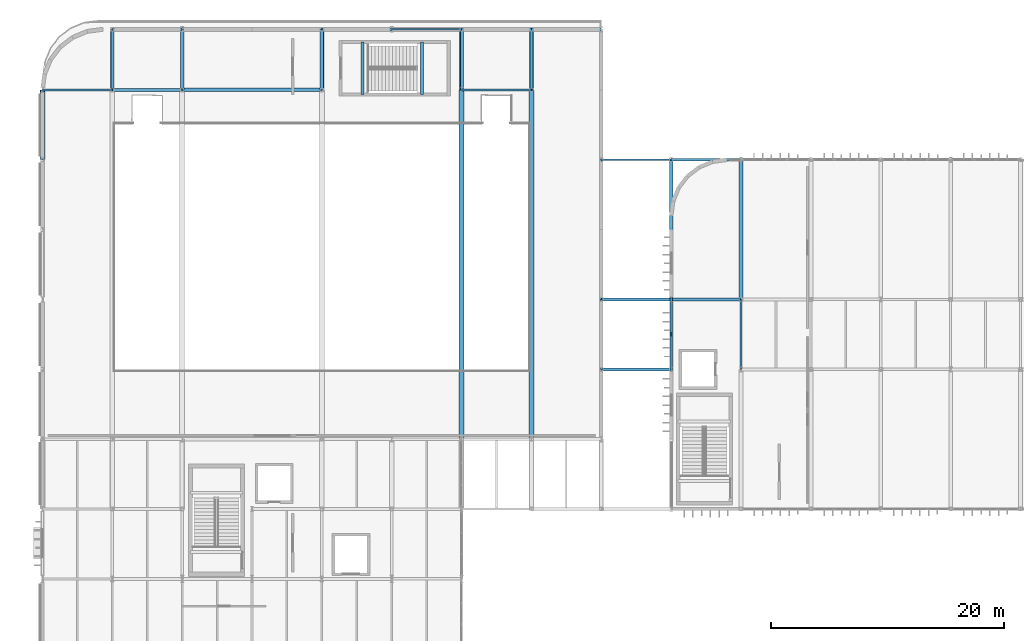
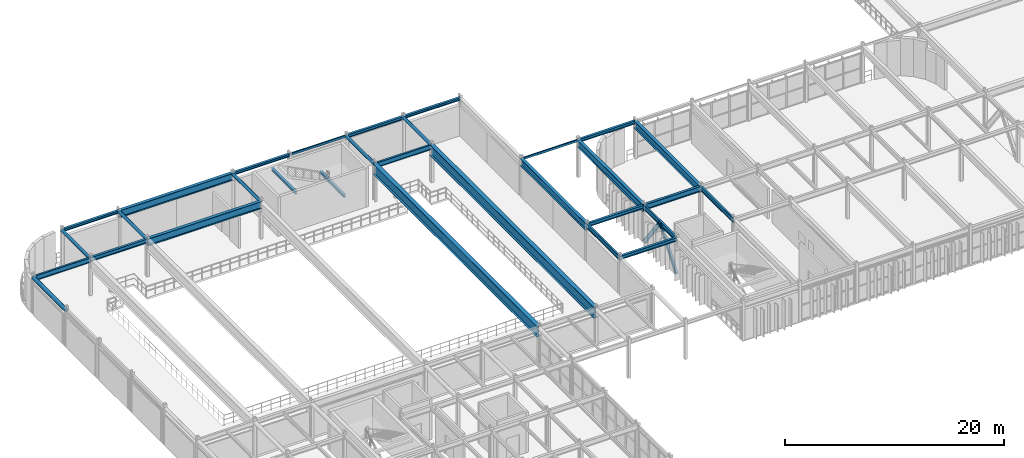
# One storey, part 44 of 96: 31 beams, 2 members.
"""IFC4 building model written with IfcOpenShell, lengths in metres."""

from ifc_helpers import new_model, si_unit, direction, frame, origin, origin_2d, place, context, subcontext, project, spatial, hollow_rectangle, hollow_circle, i_section, extrude, material, material_profile, profile_set, type_object, element, save


model = new_model("IFC4")

# Units and contexts
model_context = context("Model", 3, precision=1e-05, world=origin(), true_north=direction((0.0, 1.0)))
body_context = subcontext(model_context, "Body", "Model", "MODEL_VIEW")
ifc_project = project(units=[si_unit("LENGTHUNIT", "METRE"), si_unit("AREAUNIT", "SQUARE_METRE"), si_unit("VOLUMEUNIT", "CUBIC_METRE"), si_unit("PLANEANGLEUNIT", "RADIAN"), si_unit("MASSUNIT", "GRAM", prefix="KILO")], contexts=[model_context])

# Site, building, storey
site_placement = place(None, origin())
site = spatial("IfcSite", under=ifc_project, at=site_placement, CompositionType="ELEMENT")
building_placement = place(site_placement, origin())
building = spatial("IfcBuilding", under=site, at=building_placement, Name="Varnakota Square Police Headquarters", CompositionType="ELEMENT")
storey_placement = place(building_placement, frame((0.0, 0.0, 4.800048828125)))
storey = spatial("IfcBuildingStorey", under=building, at=storey_placement, Name="L01", CompositionType="ELEMENT", Elevation=4.800048828125)

# Beams
ifc_material = material(Name="Steel IS 2062 Grade 350", Category="steel")
ifc_material_profile_1 = material_profile(ifc_material, hollow_circle(Radius=0.161865234375, WallThickness=0.0126953125, at=origin_2d()), Name="CHS 323.9x12.7")
ifc_profile_set_1 = profile_set([ifc_material_profile_1], Name="Steel IS 2062 Grade 350")
beam_type_1 = type_object("IfcBeamType", Name="BM-ARC-CHS324", PredefinedType="BEAM", material=ifc_profile_set_1)
for number, where, z_axis, x_axis, name in (
    (1, (12.0, 105.0, 4.0380859375), (0.0, 1.0, 0.0), (-1.0, 0.0, 0.0), "BMG-L01-1564"),
    (2, (18.0, 105.0, 4.0380859375), (0.0, 1.0, 0.0), (-1.0, 0.0, 0.0), "BMG-L01-1578"),
    (3, (30.0, 105.0, 4.0380859375), (0.0, 1.0, 0.0), (-1.0, 0.0, 0.0), "BMG-L01-1600"),
    (4, (42.0, 105.0, 4.0380859375), (0.0, 1.0, 0.0), (-1.0, 0.0, 0.0), "BMG-L01-1626"),
    (5, (48.0, 105.0, 4.0380859375), (0.0, 1.0, 0.0), (-1.0, 0.0, 0.0), "BMG-L01-1632"),
):
    element("IfcBeam", number, at=place(storey_placement, frame(where, z_axis=z_axis, x_axis=x_axis)), inside=storey, type_object=beam_type_1, Name=name, PredefinedType="BEAM", context=body_context, shape_type="SweptSolid", body=[
        extrude(hollow_circle(Radius=0.161865234375, WallThickness=0.0126953125, at=origin_2d()), origin(), (0.0, 0.0, 1.0), 5.199951171875),
    ])
ifc_material_profile_2 = material_profile(ifc_material, hollow_circle(Radius=0.203125, WallThickness=0.01611328125, at=origin_2d()), Name="CHS 406.4x16.0")
ifc_profile_set_2 = profile_set([ifc_material_profile_2], Name="Steel IS 2062 Grade 350")
beam_type_2 = type_object("IfcBeamType", Name="BM-ARC-CHS406", PredefinedType="BEAM", material=ifc_profile_set_2)
beam_1_placement = place(storey_placement, frame((6.0, 99.0, 3.996826171875), z_axis=(0.0, 1.0, 0.0), x_axis=(-1.0, 0.0, 0.0)))
element("IfcBeam", 6, at=beam_1_placement, inside=storey, type_object=beam_type_2, Name="BMG-L01-1550", PredefinedType="BEAM", context=body_context, shape_type="SweptSolid", body=[
    extrude(hollow_circle(Radius=0.203125, WallThickness=0.01611328125, at=origin_2d()), origin(), (0.0, 0.0, 1.0), 6.0),
])
ifc_material_profile_3 = material_profile(ifc_material, i_section(OverallWidth=0.419921875, OverallDepth=1.199951171875, WebThickness=0.02197265625, FlangeThickness=0.034912109375, at=origin_2d()), Name="BPG 1200x420")
ifc_profile_set_3 = profile_set([ifc_material_profile_3], Name="Steel IS 2062 Grade 350")
beam_type_3 = type_object("IfcBeamType", Name="BM-BPG1200", PredefinedType="BEAM", material=ifc_profile_set_3)
for number, where, z_axis, x_axis, name in (
    (7, (42.0, 75.0, 3.599853515625), (0.0, 1.0, 0.0), (-1.0, 0.0, 0.0), "Clear-span hall girder L01 X=42"),
    (8, (48.0, 75.0, 3.599853515625), (0.0, 1.0, 0.0), (-1.0, 0.0, 0.0), "Clear-span hall girder L01 X=48"),
):
    element("IfcBeam", number, at=place(storey_placement, frame(where, z_axis=z_axis, x_axis=x_axis)), inside=storey, type_object=beam_type_3, Name=name, PredefinedType="BEAM", context=body_context, shape_type="SweptSolid", body=[
        extrude(i_section(OverallWidth=0.419921875, OverallDepth=1.199951171875, WebThickness=0.02197265625, FlangeThickness=0.034912109375, at=origin_2d()), origin(), (0.0, 0.0, 1.0), 30.0),
    ])
ifc_material_profile_4 = material_profile(ifc_material, i_section(OverallWidth=0.320068359375, OverallDepth=0.800048828125, WebThickness=0.01611328125, FlangeThickness=0.028076171875, at=origin_2d()), Name="BPG 800x320")
ifc_profile_set_4 = profile_set([ifc_material_profile_4], Name="Steel IS 2062 Grade 350")
beam_type_4 = type_object("IfcBeamType", Name="BM-BPG800", PredefinedType="BEAM", material=ifc_profile_set_4)
for number, where, z_axis, x_axis, name in (
    (9, (18.0, 105.0, 3.800048828125), (1.0, 0.0, 0.0), (0.0, 1.0, 0.0), "BMG-L01-1512"),
    (10, (18.0, 110.199951171875, 3.800048828125), (1.0, 0.0, 0.0), (0.0, 1.0, 0.0), "BMG-L01-1522"),
    (11, (54.0, 87.0, 3.800048828125), (0.0, 1.0, 0.0), (-1.0, 0.0, 0.0), "BMG-L01-1642"),
    (12, (60.0, 87.0, 3.800048828125), (0.0, 1.0, 0.0), (-1.0, 0.0, 0.0), "BMG-L01-1647"),
    (13, (66.0, 87.0, 3.800048828125), (0.0, 1.0, 0.0), (-1.0, 0.0, 0.0), "BMG-L01-1651"),
):
    element("IfcBeam", number, at=place(storey_placement, frame(where, z_axis=z_axis, x_axis=x_axis)), inside=storey, type_object=beam_type_4, Name=name, PredefinedType="BEAM", context=body_context, shape_type="SweptSolid", body=[
        extrude(i_section(OverallWidth=0.320068359375, OverallDepth=0.800048828125, WebThickness=0.01611328125, FlangeThickness=0.028076171875, at=origin_2d()), origin(), (0.0, 0.0, 1.0), 12.0),
    ])
ifc_material_profile_5 = material_profile(ifc_material, hollow_rectangle(XDim=0.14990234375, YDim=0.25, WallThickness=0.010009765625, InnerFilletRadius=0.010009765625, OuterFilletRadius=0.02001953125, at=origin_2d()), Name="RHS 250x150x10")
ifc_profile_set_5 = profile_set([ifc_material_profile_5], Name="Steel IS 2062 Grade 350")
beam_type_5 = type_object("IfcBeamType", Name="BM-CBEAM-RHS250", PredefinedType="BEAM", material=ifc_profile_set_5)
for number, where, z_axis, x_axis, name in (
    (14, (54.0, 99.0, 4.074951171875), (1.0, 0.0, 0.0), (0.0, 1.0, 0.0), "BMG-L01-1494"),
    (15, (36.0, 110.199951171875, 4.074951171875), (1.0, 0.0, 0.0), (0.0, 1.0, 0.0), "BMG-L01-1524"),
):
    element("IfcBeam", number, at=place(storey_placement, frame(where, z_axis=z_axis, x_axis=x_axis)), inside=storey, type_object=beam_type_5, Name=name, PredefinedType="BEAM", context=body_context, shape_type="SweptSolid", body=[
        extrude(hollow_rectangle(XDim=0.14990234375, YDim=0.25, WallThickness=0.010009765625, InnerFilletRadius=0.010009765625, OuterFilletRadius=0.02001953125, at=origin_2d()), origin(), (0.0, 0.0, 1.0), 6.0),
    ])
ifc_material_profile_6 = material_profile(ifc_material, i_section(OverallWidth=0.25, OverallDepth=0.300048828125, WebThickness=0.009521484375, FlangeThickness=0.010498046875, FilletRadius=0.011962890625, at=origin_2d()), Name="ISHB 300")
ifc_profile_set_6 = profile_set([ifc_material_profile_6], Name="Steel IS 2062 Grade 350")
beam_type_6 = type_object("IfcBeamType", Name="BM-ISHB300", PredefinedType="BEAM", material=ifc_profile_set_6)
for number, where, z_axis, x_axis, name in (
    (16, (12.0, 110.199951171875, 4.050048828125), (1.0, 0.0, 0.0), (0.0, 1.0, 0.0), "BMG-L01-1521"),
    (17, (30.0, 110.199951171875, 4.050048828125), (1.0, 0.0, 0.0), (0.0, 1.0, 0.0), "BMG-L01-1523"),
    (18, (48.0, 110.199951171875, 4.050048828125), (1.0, 0.0, 0.0), (0.0, 1.0, 0.0), "BMG-L01-1526"),
):
    element("IfcBeam", number, at=place(storey_placement, frame(where, z_axis=z_axis, x_axis=x_axis)), inside=storey, type_object=beam_type_6, Name=name, PredefinedType="BEAM", context=body_context, shape_type="SweptSolid", body=[
        extrude(i_section(OverallWidth=0.25, OverallDepth=0.300048828125, WebThickness=0.009521484375, FlangeThickness=0.010498046875, FilletRadius=0.011962890625, at=origin_2d()), origin(), (0.0, 0.0, 1.0), 6.0),
    ])
for number, where, z_axis, x_axis, name in (
    (19, (38.6005859375, 104.60009765625, 1.94189453125), (0.0, 1.0, 0.0), (-1.0, 0.0, 0.0), "Stair landing support beam BM-LND-0083"),
    (20, (33.5, 104.60009765625, 4.070068359375), (0.0, 1.0, 0.0), (-1.0, 0.0, 0.0), "Stair landing support beam BM-LND-0084"),
):
    element("IfcBeam", number, at=place(storey_placement, frame(where, z_axis=z_axis, x_axis=x_axis)), inside=storey, type_object=beam_type_6, Name=name, PredefinedType="BEAM", context=body_context, shape_type="SweptSolid", body=[
        extrude(i_section(OverallWidth=0.25, OverallDepth=0.300048828125, WebThickness=0.009521484375, FlangeThickness=0.010498046875, FilletRadius=0.011962890625, at=origin_2d()), origin(), (0.0, 0.0, 1.0), 4.5),
    ])
ifc_material_profile_7 = material_profile(ifc_material, i_section(OverallWidth=0.25, OverallDepth=0.35009765625, WebThickness=0.010009765625, FlangeThickness=0.01171875, FilletRadius=0.011962890625, at=origin_2d()), Name="ISHB 350")
ifc_profile_set_7 = profile_set([ifc_material_profile_7], Name="Steel IS 2062 Grade 350")
beam_type_7 = type_object("IfcBeamType", Name="BM-ISHB350", PredefinedType="BEAM", material=ifc_profile_set_7)
for number, where, z_axis, x_axis, name in (
    (21, (60.0, 99.0, 4.02490234375), (1.0, 0.0, 0.0), (0.0, 1.0, 0.0), "BMG-L01-1495"),
    (22, (42.0, 110.199951171875, 4.02490234375), (1.0, 0.0, 0.0), (0.0, 1.0, 0.0), "BMG-L01-1525"),
):
    element("IfcBeam", number, at=place(storey_placement, frame(where, z_axis=z_axis, x_axis=x_axis)), inside=storey, type_object=beam_type_7, Name=name, PredefinedType="BEAM", context=body_context, shape_type="SweptSolid", body=[
        extrude(i_section(OverallWidth=0.25, OverallDepth=0.35009765625, WebThickness=0.010009765625, FlangeThickness=0.01171875, FilletRadius=0.011962890625, at=origin_2d()), origin(), (0.0, 0.0, 1.0), 6.0),
    ])
ifc_material_profile_8 = material_profile(ifc_material, i_section(OverallWidth=0.25, OverallDepth=0.39990234375, WebThickness=0.010498046875, FlangeThickness=0.0126953125, FilletRadius=0.013916015625, at=origin_2d()), Name="ISHB 400")
ifc_profile_set_8 = profile_set([ifc_material_profile_8], Name="Steel IS 2062 Grade 350")
beam_type_8 = type_object("IfcBeamType", Name="BM-ISHB400", PredefinedType="BEAM", material=ifc_profile_set_8)
for number, where, z_axis, x_axis, name in (
    (23, (54.0, 81.0, 4.0), (1.0, 0.0, 0.0), (0.0, 1.0, 0.0), "BMG-L01-1458"),
    (24, (54.0, 87.0, 4.0), (1.0, 0.0, 0.0), (0.0, 1.0, 0.0), "BMG-L01-1474"),
):
    element("IfcBeam", number, at=place(storey_placement, frame(where, z_axis=z_axis, x_axis=x_axis)), inside=storey, type_object=beam_type_8, Name=name, PredefinedType="BEAM", context=body_context, shape_type="SweptSolid", body=[
        extrude(i_section(OverallWidth=0.25, OverallDepth=0.39990234375, WebThickness=0.010498046875, FlangeThickness=0.0126953125, FilletRadius=0.013916015625, at=origin_2d()), origin(), (0.0, 0.0, 1.0), 6.0),
    ])
ifc_material_profile_9 = material_profile(ifc_material, i_section(OverallWidth=0.25, OverallDepth=0.449951171875, WebThickness=0.01123046875, FlangeThickness=0.013671875, FilletRadius=0.014892578125, at=origin_2d()), Name="ISHB 450")
ifc_profile_set_9 = profile_set([ifc_material_profile_9], Name="Steel IS 2062 Grade 350")
beam_type_9 = type_object("IfcBeamType", Name="BM-ISHB450", PredefinedType="BEAM", material=ifc_profile_set_9)
beam_2_placement = place(storey_placement, frame((12.0, 105.0, 3.974853515625), z_axis=(1.0, 0.0, 0.0), x_axis=(0.0, 1.0, 0.0)))
element("IfcBeam", 25, at=beam_2_placement, inside=storey, type_object=beam_type_9, Name="BMG-L01-1511", PredefinedType="BEAM", context=body_context, shape_type="SweptSolid", body=[
    extrude(i_section(OverallWidth=0.25, OverallDepth=0.449951171875, WebThickness=0.01123046875, FlangeThickness=0.013671875, FilletRadius=0.014892578125, at=origin_2d()), origin(), (0.0, 0.0, 1.0), 6.0),
])
ifc_material_profile_10 = material_profile(ifc_material, i_section(OverallWidth=0.179931640625, OverallDepth=0.5, WebThickness=0.01025390625, FlangeThickness=0.01708984375, FilletRadius=0.01708984375, at=origin_2d()), Name="ISMB 500")
ifc_profile_set_10 = profile_set([ifc_material_profile_10], Name="Steel IS 2062 Grade 350")
beam_type_10 = type_object("IfcBeamType", Name="BM-ISMB500", PredefinedType="BEAM", material=ifc_profile_set_10)
for number, where, z_axis, x_axis, name in (
    (26, (54.0, 81.0, 3.949951171875), (0.0, 1.0, 0.0), (-1.0, 0.0, 0.0), "BMG-L01-1641"),
    (27, (60.0, 81.0, 3.949951171875), (0.0, 1.0, 0.0), (-1.0, 0.0, 0.0), "BMG-L01-1646"),
    (28, (66.0, 81.0, 3.949951171875), (0.0, 1.0, 0.0), (-1.0, 0.0, 0.0), "BMG-L01-1650"),
):
    element("IfcBeam", number, at=place(storey_placement, frame(where, z_axis=z_axis, x_axis=x_axis)), inside=storey, type_object=beam_type_10, Name=name, PredefinedType="BEAM", context=body_context, shape_type="SweptSolid", body=[
        extrude(i_section(OverallWidth=0.179931640625, OverallDepth=0.5, WebThickness=0.01025390625, FlangeThickness=0.01708984375, FilletRadius=0.01708984375, at=origin_2d()), origin(), (0.0, 0.0, 1.0), 6.0),
    ])
ifc_material_profile_11 = material_profile(ifc_material, i_section(OverallWidth=0.18994140625, OverallDepth=0.550048828125, WebThickness=0.01123046875, FlangeThickness=0.019287109375, FilletRadius=0.01806640625, at=origin_2d()), Name="ISMB 550")
ifc_profile_set_11 = profile_set([ifc_material_profile_11], Name="Steel IS 2062 Grade 350")
beam_type_11 = type_object("IfcBeamType", Name="BM-ISMB550", PredefinedType="BEAM", material=ifc_profile_set_11)
for number, where, z_axis, x_axis, name in (
    (29, (6.0, 105.0, 3.925048828125), (1.0, 0.0, 0.0), (0.0, 1.0, 0.0), "BMG-L01-1510"),
    (30, (42.0, 105.0, 3.925048828125), (1.0, 0.0, 0.0), (0.0, 1.0, 0.0), "BMG-L01-1513"),
):
    element("IfcBeam", number, at=place(storey_placement, frame(where, z_axis=z_axis, x_axis=x_axis)), inside=storey, type_object=beam_type_11, Name=name, PredefinedType="BEAM", context=body_context, shape_type="SweptSolid", body=[
        extrude(i_section(OverallWidth=0.18994140625, OverallDepth=0.550048828125, WebThickness=0.01123046875, FlangeThickness=0.019287109375, FilletRadius=0.01806640625, at=origin_2d()), origin(), (0.0, 0.0, 1.0), 6.0),
    ])
ifc_material_profile_12 = material_profile(ifc_material, i_section(OverallWidth=0.25, OverallDepth=0.60009765625, WebThickness=0.01171875, FlangeThickness=0.023681640625, FilletRadius=0.01708984375, at=origin_2d()), Name="ISWB 600")
ifc_profile_set_12 = profile_set([ifc_material_profile_12], Name="Steel IS 2062 Grade 350")
beam_type_12 = type_object("IfcBeamType", Name="BM-ISWB600", PredefinedType="BEAM", material=ifc_profile_set_12)
beam_3_placement = place(storey_placement, frame((60.0, 87.0, 3.89990234375), z_axis=(1.0, 0.0, 0.0), x_axis=(0.0, 1.0, 0.0)))
element("IfcBeam", 31, at=beam_3_placement, inside=storey, type_object=beam_type_12, Name="BMG-L01-1475", PredefinedType="BEAM", context=body_context, shape_type="SweptSolid", body=[
    extrude(i_section(OverallWidth=0.25, OverallDepth=0.60009765625, WebThickness=0.01171875, FlangeThickness=0.023681640625, FilletRadius=0.01708984375, at=origin_2d()), origin(), (0.0, 0.0, 1.0), 6.0),
])

# Members
ifc_material_profile_13 = material_profile(ifc_material, i_section(OverallWidth=0.199951171875, OverallDepth=0.39990234375, WebThickness=0.008544921875, FlangeThickness=0.012939453125, FilletRadius=0.012939453125, at=origin_2d()), Name="ISWB 400")
ifc_profile_set_13 = profile_set([ifc_material_profile_13], Name="Steel IS 2062 Grade 350")
member_type = type_object("IfcMemberType", Name="MEM-BR-ISWB400", PredefinedType="BRACE", material=ifc_profile_set_13)
for number, where, z_axis, x_axis, name in (
    (32, (60.0, 81.050048828125, 0.02001953125), (0.0, 0.600325874044, 0.79975549073), (-1.0, 0.0, 0.0), "Lateral brace BF5 L01 left"),
    (33, (60.0, 86.949951171875, 0.02001953125), (0.0, -0.600325874044, 0.79975549073), (1.0, 0.0, 0.0), "Lateral brace BF5 L01 right"),
):
    element("IfcMember", number, at=place(storey_placement, frame(where, z_axis=z_axis, x_axis=x_axis)), inside=storey, type_object=member_type, Name=name, PredefinedType="BRACE", context=body_context, shape_type="SweptSolid", body=[
        extrude(i_section(OverallWidth=0.199951171875, OverallDepth=0.39990234375, WebThickness=0.008544921875, FlangeThickness=0.012939453125, FilletRadius=0.012939453125, at=origin_2d()), origin(), (0.0, 0.0, 1.0), 4.913818359375),
    ])

save(model, "model.ifc")
